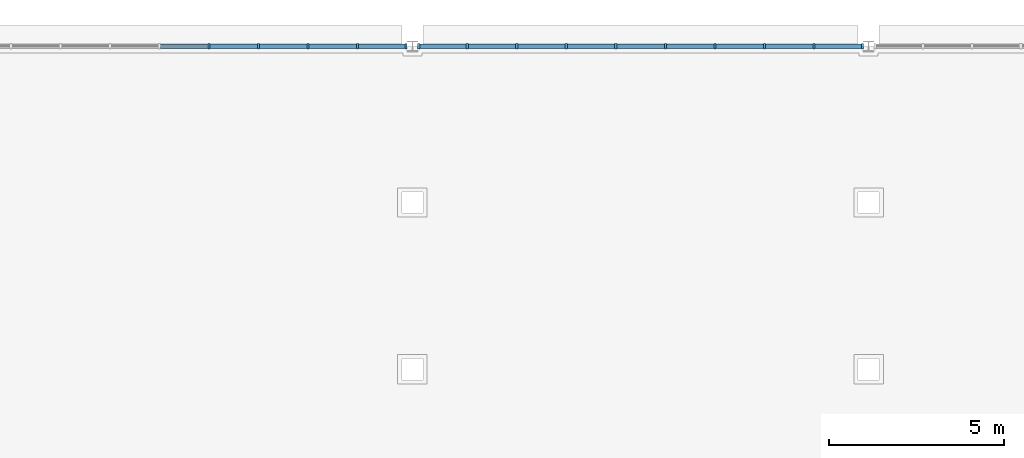
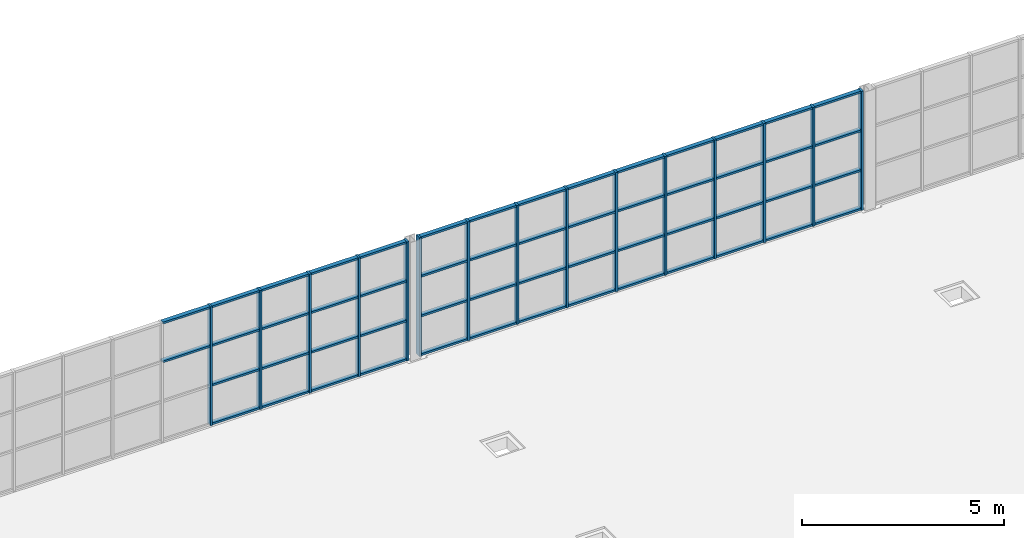
# One storey, part 26 of 82: 69 members, 2 elements without a shape of their own.
"""IFC4 building model written with IfcOpenShell, lengths in metres."""

from ifc_helpers import new_model, si_unit, direction, frame, origin, origin_2d, place, context, subcontext, project, spatial, rectangle, extrude, material, material_profile, profile_set, type_object, element, aggregate, save


model = new_model("IFC4")

# Units and contexts
model_context = context("Model", 3, precision=1e-05, world=origin(), true_north=direction((0.0, 1.0)))
body_context = subcontext(model_context, "Body", "Model", "MODEL_VIEW")
ifc_project = project(units=[si_unit("LENGTHUNIT", "METRE"), si_unit("AREAUNIT", "SQUARE_METRE"), si_unit("VOLUMEUNIT", "CUBIC_METRE"), si_unit("PLANEANGLEUNIT", "RADIAN"), si_unit("MASSUNIT", "GRAM", prefix="KILO")], contexts=[model_context])

# Site, building, storey
site_placement = place(None, origin())
site = spatial("IfcSite", under=ifc_project, at=site_placement, CompositionType="ELEMENT")
building_placement = place(site_placement, origin())
building = spatial("IfcBuilding", under=site, at=building_placement, Name="Elbe Cascade School", CompositionType="ELEMENT")
storey_placement = place(building_placement, frame((0.0, 0.0, 4.5)))
storey = spatial("IfcBuildingStorey", under=building, at=storey_placement, Name="L01", CompositionType="ELEMENT", Elevation=4.5)

# Curtain wall, members
ifc_material_1 = material(Name="Glass - double glazed low-E", Category="glass")
curtain_wall_type = type_object("IfcCurtainWallType", Name="Hall gable curtain wall", PredefinedType="NOTDEFINED", material=ifc_material_1)
curtain_wall_1_placement = place(storey_placement, origin())
curtain_wall_1 = element("IfcCurtainWall", 1, at=curtain_wall_1_placement, inside=storey, type_object=curtain_wall_type, Name="Gable curtain wall N2", PredefinedType="NOTDEFINED")
ifc_material_2 = material(Name="Aluminium - bronze anodised", Category="aluminium")
ifc_material_profile_1 = material_profile(ifc_material_2, rectangle(XDim=0.159912109375, YDim=0.06005859375, at=origin_2d()), Name="Alu 60x160")
ifc_profile_set_1 = profile_set([ifc_material_profile_1], Name="Aluminium - bronze anodised")
member_type_1 = type_object("IfcMemberType", Name="Hall gable mullion 60x160", PredefinedType="MULLION", material=ifc_profile_set_1)
member_1_placement = place(storey_placement, frame((28.20556640625, 69.199951171875, 0.0), z_axis=(0.0, 0.0, 1.0), x_axis=(0.0, 1.0, 0.0)))
member_1 = element("IfcMember", 2, at=member_1_placement, type_object=member_type_1, Name="CW6 mullion 6", PredefinedType="MULLION", context=body_context, shape_type="SweptSolid", body=[
    extrude(rectangle(XDim=0.159912109375, YDim=0.06005859375, at=origin_2d()), origin(), (0.0, 0.0, 1.0), 3.60009765625),
])
member_2_placement = place(storey_placement, frame((29.61669921875, 69.199951171875, 0.0), z_axis=(0.0, 0.0, 1.0), x_axis=(0.0, 1.0, 0.0)))
member_2 = element("IfcMember", 3, at=member_2_placement, type_object=member_type_1, Name="CW6 mullion 7", PredefinedType="MULLION", context=body_context, shape_type="SweptSolid", body=[
    extrude(rectangle(XDim=0.159912109375, YDim=0.06005859375, at=origin_2d()), origin(), (0.0, 0.0, 1.0), 3.60009765625),
])
member_3_placement = place(storey_placement, frame((31.02783203125, 69.199951171875, 0.0), z_axis=(0.0, 0.0, 1.0), x_axis=(0.0, 1.0, 0.0)))
member_3 = element("IfcMember", 4, at=member_3_placement, type_object=member_type_1, Name="CW6 mullion 8", PredefinedType="MULLION", context=body_context, shape_type="SweptSolid", body=[
    extrude(rectangle(XDim=0.159912109375, YDim=0.06005859375, at=origin_2d()), origin(), (0.0, 0.0, 1.0), 3.60009765625),
])
member_4_placement = place(storey_placement, frame((32.43896484375, 69.199951171875, 0.0), z_axis=(0.0, 0.0, 1.0), x_axis=(0.0, 1.0, 0.0)))
member_4 = element("IfcMember", 5, at=member_4_placement, type_object=member_type_1, Name="CW6 mullion 9", PredefinedType="MULLION", context=body_context, shape_type="SweptSolid", body=[
    extrude(rectangle(XDim=0.159912109375, YDim=0.06005859375, at=origin_2d()), origin(), (0.0, 0.0, 1.0), 3.60009765625),
])
member_5_placement = place(storey_placement, frame((33.820068359375, 69.199951171875, 0.0), z_axis=(0.0, 0.0, 1.0), x_axis=(0.0, 1.0, 0.0)))
member_5 = element("IfcMember", 6, at=member_5_placement, type_object=member_type_1, Name="CW6 mullion 10", PredefinedType="MULLION", context=body_context, shape_type="SweptSolid", body=[
    extrude(rectangle(XDim=0.159912109375, YDim=0.06005859375, at=origin_2d()), origin(), (0.0, 0.0, 1.0), 3.60009765625),
])

curtain_wall_2_placement = place(storey_placement, origin())
curtain_wall_2 = element("IfcCurtainWall", 7, at=curtain_wall_2_placement, inside=storey, type_object=curtain_wall_type, Name="Gable curtain wall N3", PredefinedType="NOTDEFINED")
member_6_placement = place(storey_placement, frame((34.179931640625, 69.199951171875, 0.0), z_axis=(0.0, 0.0, 1.0), x_axis=(0.0, 1.0, 0.0)))
member_6 = element("IfcMember", 8, at=member_6_placement, type_object=member_type_1, Name="CW6 mullion 1", PredefinedType="MULLION", context=body_context, shape_type="SweptSolid", body=[
    extrude(rectangle(XDim=0.159912109375, YDim=0.06005859375, at=origin_2d()), origin(), (0.0, 0.0, 1.0), 3.60009765625),
])
member_7_placement = place(storey_placement, frame((35.56103515625, 69.199951171875, 0.0), z_axis=(0.0, 0.0, 1.0), x_axis=(0.0, 1.0, 0.0)))
member_7 = element("IfcMember", 9, at=member_7_placement, type_object=member_type_1, Name="CW6 mullion 2", PredefinedType="MULLION", context=body_context, shape_type="SweptSolid", body=[
    extrude(rectangle(XDim=0.159912109375, YDim=0.06005859375, at=origin_2d()), origin(), (0.0, 0.0, 1.0), 3.60009765625),
])
member_8_placement = place(storey_placement, frame((36.97216796875, 69.199951171875, 0.0), z_axis=(0.0, 0.0, 1.0), x_axis=(0.0, 1.0, 0.0)))
member_8 = element("IfcMember", 10, at=member_8_placement, type_object=member_type_1, Name="CW6 mullion 3", PredefinedType="MULLION", context=body_context, shape_type="SweptSolid", body=[
    extrude(rectangle(XDim=0.159912109375, YDim=0.06005859375, at=origin_2d()), origin(), (0.0, 0.0, 1.0), 3.60009765625),
])
member_9_placement = place(storey_placement, frame((38.38330078125, 69.199951171875, 0.0), z_axis=(0.0, 0.0, 1.0), x_axis=(0.0, 1.0, 0.0)))
member_9 = element("IfcMember", 11, at=member_9_placement, type_object=member_type_1, Name="CW6 mullion 4", PredefinedType="MULLION", context=body_context, shape_type="SweptSolid", body=[
    extrude(rectangle(XDim=0.159912109375, YDim=0.06005859375, at=origin_2d()), origin(), (0.0, 0.0, 1.0), 3.60009765625),
])
member_10_placement = place(storey_placement, frame((39.79443359375, 69.199951171875, 0.0), z_axis=(0.0, 0.0, 1.0), x_axis=(0.0, 1.0, 0.0)))
member_10 = element("IfcMember", 12, at=member_10_placement, type_object=member_type_1, Name="CW6 mullion 5", PredefinedType="MULLION", context=body_context, shape_type="SweptSolid", body=[
    extrude(rectangle(XDim=0.159912109375, YDim=0.06005859375, at=origin_2d()), origin(), (0.0, 0.0, 1.0), 3.60009765625),
])
member_11_placement = place(storey_placement, frame((41.20556640625, 69.199951171875, 0.0), z_axis=(0.0, 0.0, 1.0), x_axis=(0.0, 1.0, 0.0)))
member_11 = element("IfcMember", 13, at=member_11_placement, type_object=member_type_1, Name="CW6 mullion 6", PredefinedType="MULLION", context=body_context, shape_type="SweptSolid", body=[
    extrude(rectangle(XDim=0.159912109375, YDim=0.06005859375, at=origin_2d()), origin(), (0.0, 0.0, 1.0), 3.60009765625),
])
member_12_placement = place(storey_placement, frame((42.61669921875, 69.199951171875, 0.0), z_axis=(0.0, 0.0, 1.0), x_axis=(0.0, 1.0, 0.0)))
member_12 = element("IfcMember", 14, at=member_12_placement, type_object=member_type_1, Name="CW6 mullion 7", PredefinedType="MULLION", context=body_context, shape_type="SweptSolid", body=[
    extrude(rectangle(XDim=0.159912109375, YDim=0.06005859375, at=origin_2d()), origin(), (0.0, 0.0, 1.0), 3.60009765625),
])
member_13_placement = place(storey_placement, frame((44.02783203125, 69.199951171875, 0.0), z_axis=(0.0, 0.0, 1.0), x_axis=(0.0, 1.0, 0.0)))
member_13 = element("IfcMember", 15, at=member_13_placement, type_object=member_type_1, Name="CW6 mullion 8", PredefinedType="MULLION", context=body_context, shape_type="SweptSolid", body=[
    extrude(rectangle(XDim=0.159912109375, YDim=0.06005859375, at=origin_2d()), origin(), (0.0, 0.0, 1.0), 3.60009765625),
])
member_14_placement = place(storey_placement, frame((45.43896484375, 69.199951171875, 0.0), z_axis=(0.0, 0.0, 1.0), x_axis=(0.0, 1.0, 0.0)))
member_14 = element("IfcMember", 16, at=member_14_placement, type_object=member_type_1, Name="CW6 mullion 9", PredefinedType="MULLION", context=body_context, shape_type="SweptSolid", body=[
    extrude(rectangle(XDim=0.159912109375, YDim=0.06005859375, at=origin_2d()), origin(), (0.0, 0.0, 1.0), 3.60009765625),
])
member_15_placement = place(storey_placement, frame((46.820068359375, 69.199951171875, 0.0), z_axis=(0.0, 0.0, 1.0), x_axis=(0.0, 1.0, 0.0)))
member_15 = element("IfcMember", 17, at=member_15_placement, type_object=member_type_1, Name="CW6 mullion 10", PredefinedType="MULLION", context=body_context, shape_type="SweptSolid", body=[
    extrude(rectangle(XDim=0.159912109375, YDim=0.06005859375, at=origin_2d()), origin(), (0.0, 0.0, 1.0), 3.60009765625),
])

# Member
ifc_material_3 = material(Name="Aluminium - bronze anodised", Category="aluminium")
ifc_material_profile_2 = material_profile(ifc_material_3, rectangle(XDim=0.1201171875, YDim=0.06005859375, at=origin_2d()), Name="Alu 60x120")
ifc_profile_set_2 = profile_set([ifc_material_profile_2], Name="Aluminium - bronze anodised")
member_type_2 = type_object("IfcMemberType", Name="Hall gable transom 60x120", PredefinedType="USERDEFINED", material=ifc_profile_set_2)
member_16_placement = place(storey_placement, frame((26.824462890625, 69.199951171875, 2.39990234375), z_axis=(1.0, 0.0, 0.0), x_axis=(0.0, 1.0, 0.0)))
member_16 = element("IfcMember", 18, at=member_16_placement, type_object=member_type_2, Name="CW6 transom 5.3", ObjectType="TRANSOM", PredefinedType="USERDEFINED", context=body_context, shape_type="SweptSolid", body=[
    extrude(rectangle(XDim=0.1201171875, YDim=0.06005859375, at=origin_2d()), origin(), (0.0, 0.0, 1.0), 1.35107421875),
])

member_17_placement = place(storey_placement, frame((26.824462890625, 69.199951171875, 3.570068359375), z_axis=(1.0, 0.0, 0.0), x_axis=(0.0, 1.0, 0.0)))
member_17 = element("IfcMember", 19, at=member_17_placement, type_object=member_type_2, Name="CW6 transom 5.4", ObjectType="TRANSOM", PredefinedType="USERDEFINED", context=body_context, shape_type="SweptSolid", body=[
    extrude(rectangle(XDim=0.1201171875, YDim=0.06005859375, at=origin_2d()), origin(), (0.0, 0.0, 1.0), 1.35107421875),
])

member_18_placement = place(storey_placement, frame((28.235595703125, 69.199951171875, 0.030029296875), z_axis=(1.0, 0.0, 0.0), x_axis=(0.0, 1.0, 0.0)))
member_18 = element("IfcMember", 20, at=member_18_placement, type_object=member_type_2, Name="CW6 transom 6.1", ObjectType="TRANSOM", PredefinedType="USERDEFINED", context=body_context, shape_type="SweptSolid", body=[
    extrude(rectangle(XDim=0.1201171875, YDim=0.06005859375, at=origin_2d()), origin(), (0.0, 0.0, 1.0), 1.35107421875),
])

member_19_placement = place(storey_placement, frame((28.235595703125, 69.199951171875, 1.199951171875), z_axis=(1.0, 0.0, 0.0), x_axis=(0.0, 1.0, 0.0)))
member_19 = element("IfcMember", 21, at=member_19_placement, type_object=member_type_2, Name="CW6 transom 6.2", ObjectType="TRANSOM", PredefinedType="USERDEFINED", context=body_context, shape_type="SweptSolid", body=[
    extrude(rectangle(XDim=0.1201171875, YDim=0.06005859375, at=origin_2d()), origin(), (0.0, 0.0, 1.0), 1.35107421875),
])

member_20_placement = place(storey_placement, frame((28.235595703125, 69.199951171875, 2.39990234375), z_axis=(1.0, 0.0, 0.0), x_axis=(0.0, 1.0, 0.0)))
member_20 = element("IfcMember", 22, at=member_20_placement, type_object=member_type_2, Name="CW6 transom 6.3", ObjectType="TRANSOM", PredefinedType="USERDEFINED", context=body_context, shape_type="SweptSolid", body=[
    extrude(rectangle(XDim=0.1201171875, YDim=0.06005859375, at=origin_2d()), origin(), (0.0, 0.0, 1.0), 1.35107421875),
])

member_21_placement = place(storey_placement, frame((28.235595703125, 69.199951171875, 3.570068359375), z_axis=(1.0, 0.0, 0.0), x_axis=(0.0, 1.0, 0.0)))
member_21 = element("IfcMember", 23, at=member_21_placement, type_object=member_type_2, Name="CW6 transom 6.4", ObjectType="TRANSOM", PredefinedType="USERDEFINED", context=body_context, shape_type="SweptSolid", body=[
    extrude(rectangle(XDim=0.1201171875, YDim=0.06005859375, at=origin_2d()), origin(), (0.0, 0.0, 1.0), 1.35107421875),
])

member_22_placement = place(storey_placement, frame((29.646728515625, 69.199951171875, 0.030029296875), z_axis=(1.0, 0.0, 0.0), x_axis=(0.0, 1.0, 0.0)))
member_22 = element("IfcMember", 24, at=member_22_placement, type_object=member_type_2, Name="CW6 transom 7.1", ObjectType="TRANSOM", PredefinedType="USERDEFINED", context=body_context, shape_type="SweptSolid", body=[
    extrude(rectangle(XDim=0.1201171875, YDim=0.06005859375, at=origin_2d()), origin(), (0.0, 0.0, 1.0), 1.35107421875),
])

member_23_placement = place(storey_placement, frame((29.646728515625, 69.199951171875, 1.199951171875), z_axis=(1.0, 0.0, 0.0), x_axis=(0.0, 1.0, 0.0)))
member_23 = element("IfcMember", 25, at=member_23_placement, type_object=member_type_2, Name="CW6 transom 7.2", ObjectType="TRANSOM", PredefinedType="USERDEFINED", context=body_context, shape_type="SweptSolid", body=[
    extrude(rectangle(XDim=0.1201171875, YDim=0.06005859375, at=origin_2d()), origin(), (0.0, 0.0, 1.0), 1.35107421875),
])

member_24_placement = place(storey_placement, frame((29.646728515625, 69.199951171875, 2.39990234375), z_axis=(1.0, 0.0, 0.0), x_axis=(0.0, 1.0, 0.0)))
member_24 = element("IfcMember", 26, at=member_24_placement, type_object=member_type_2, Name="CW6 transom 7.3", ObjectType="TRANSOM", PredefinedType="USERDEFINED", context=body_context, shape_type="SweptSolid", body=[
    extrude(rectangle(XDim=0.1201171875, YDim=0.06005859375, at=origin_2d()), origin(), (0.0, 0.0, 1.0), 1.35107421875),
])

member_25_placement = place(storey_placement, frame((29.646728515625, 69.199951171875, 3.570068359375), z_axis=(1.0, 0.0, 0.0), x_axis=(0.0, 1.0, 0.0)))
member_25 = element("IfcMember", 27, at=member_25_placement, type_object=member_type_2, Name="CW6 transom 7.4", ObjectType="TRANSOM", PredefinedType="USERDEFINED", context=body_context, shape_type="SweptSolid", body=[
    extrude(rectangle(XDim=0.1201171875, YDim=0.06005859375, at=origin_2d()), origin(), (0.0, 0.0, 1.0), 1.35107421875),
])

member_26_placement = place(storey_placement, frame((31.057861328125, 69.199951171875, 0.030029296875), z_axis=(1.0, 0.0, 0.0), x_axis=(0.0, 1.0, 0.0)))
member_26 = element("IfcMember", 28, at=member_26_placement, type_object=member_type_2, Name="CW6 transom 8.1", ObjectType="TRANSOM", PredefinedType="USERDEFINED", context=body_context, shape_type="SweptSolid", body=[
    extrude(rectangle(XDim=0.1201171875, YDim=0.06005859375, at=origin_2d()), origin(), (0.0, 0.0, 1.0), 1.35107421875),
])

member_27_placement = place(storey_placement, frame((31.057861328125, 69.199951171875, 1.199951171875), z_axis=(1.0, 0.0, 0.0), x_axis=(0.0, 1.0, 0.0)))
member_27 = element("IfcMember", 29, at=member_27_placement, type_object=member_type_2, Name="CW6 transom 8.2", ObjectType="TRANSOM", PredefinedType="USERDEFINED", context=body_context, shape_type="SweptSolid", body=[
    extrude(rectangle(XDim=0.1201171875, YDim=0.06005859375, at=origin_2d()), origin(), (0.0, 0.0, 1.0), 1.35107421875),
])

member_28_placement = place(storey_placement, frame((31.057861328125, 69.199951171875, 2.39990234375), z_axis=(1.0, 0.0, 0.0), x_axis=(0.0, 1.0, 0.0)))
member_28 = element("IfcMember", 30, at=member_28_placement, type_object=member_type_2, Name="CW6 transom 8.3", ObjectType="TRANSOM", PredefinedType="USERDEFINED", context=body_context, shape_type="SweptSolid", body=[
    extrude(rectangle(XDim=0.1201171875, YDim=0.06005859375, at=origin_2d()), origin(), (0.0, 0.0, 1.0), 1.35107421875),
])

member_29_placement = place(storey_placement, frame((31.057861328125, 69.199951171875, 3.570068359375), z_axis=(1.0, 0.0, 0.0), x_axis=(0.0, 1.0, 0.0)))
member_29 = element("IfcMember", 31, at=member_29_placement, type_object=member_type_2, Name="CW6 transom 8.4", ObjectType="TRANSOM", PredefinedType="USERDEFINED", context=body_context, shape_type="SweptSolid", body=[
    extrude(rectangle(XDim=0.1201171875, YDim=0.06005859375, at=origin_2d()), origin(), (0.0, 0.0, 1.0), 1.35107421875),
])

member_30_placement = place(storey_placement, frame((32.468994140625, 69.199951171875, 0.030029296875), z_axis=(1.0, 0.0, 0.0), x_axis=(0.0, 1.0, 0.0)))
member_30 = element("IfcMember", 32, at=member_30_placement, type_object=member_type_2, Name="CW6 transom 9.1", ObjectType="TRANSOM", PredefinedType="USERDEFINED", context=body_context, shape_type="SweptSolid", body=[
    extrude(rectangle(XDim=0.1201171875, YDim=0.06005859375, at=origin_2d()), origin(), (0.0, 0.0, 1.0), 1.321044921875),
])

member_31_placement = place(storey_placement, frame((32.468994140625, 69.199951171875, 1.199951171875), z_axis=(1.0, 0.0, 0.0), x_axis=(0.0, 1.0, 0.0)))
member_31 = element("IfcMember", 33, at=member_31_placement, type_object=member_type_2, Name="CW6 transom 9.2", ObjectType="TRANSOM", PredefinedType="USERDEFINED", context=body_context, shape_type="SweptSolid", body=[
    extrude(rectangle(XDim=0.1201171875, YDim=0.06005859375, at=origin_2d()), origin(), (0.0, 0.0, 1.0), 1.321044921875),
])

member_32_placement = place(storey_placement, frame((32.468994140625, 69.199951171875, 2.39990234375), z_axis=(1.0, 0.0, 0.0), x_axis=(0.0, 1.0, 0.0)))
member_32 = element("IfcMember", 34, at=member_32_placement, type_object=member_type_2, Name="CW6 transom 9.3", ObjectType="TRANSOM", PredefinedType="USERDEFINED", context=body_context, shape_type="SweptSolid", body=[
    extrude(rectangle(XDim=0.1201171875, YDim=0.06005859375, at=origin_2d()), origin(), (0.0, 0.0, 1.0), 1.321044921875),
])

member_33_placement = place(storey_placement, frame((32.468994140625, 69.199951171875, 3.570068359375), z_axis=(1.0, 0.0, 0.0), x_axis=(0.0, 1.0, 0.0)))
member_33 = element("IfcMember", 35, at=member_33_placement, type_object=member_type_2, Name="CW6 transom 9.4", ObjectType="TRANSOM", PredefinedType="USERDEFINED", context=body_context, shape_type="SweptSolid", body=[
    extrude(rectangle(XDim=0.1201171875, YDim=0.06005859375, at=origin_2d()), origin(), (0.0, 0.0, 1.0), 1.321044921875),
])

aggregate(curtain_wall_1, [member_1, member_2, member_3, member_4, member_5, member_16, member_17, member_18, member_19, member_20, member_21, member_22, member_23, member_24, member_25, member_26, member_27, member_28, member_29, member_30, member_31, member_32, member_33])

member_34_placement = place(storey_placement, frame((34.2099609375, 69.199951171875, 0.030029296875), z_axis=(1.0, 0.0, 0.0), x_axis=(0.0, 1.0, 0.0)))
member_34 = element("IfcMember", 36, at=member_34_placement, type_object=member_type_2, Name="CW6 transom 1.1", ObjectType="TRANSOM", PredefinedType="USERDEFINED", context=body_context, shape_type="SweptSolid", body=[
    extrude(rectangle(XDim=0.1201171875, YDim=0.06005859375, at=origin_2d()), origin(), (0.0, 0.0, 1.0), 1.321044921875),
])

member_35_placement = place(storey_placement, frame((34.2099609375, 69.199951171875, 1.199951171875), z_axis=(1.0, 0.0, 0.0), x_axis=(0.0, 1.0, 0.0)))
member_35 = element("IfcMember", 37, at=member_35_placement, type_object=member_type_2, Name="CW6 transom 1.2", ObjectType="TRANSOM", PredefinedType="USERDEFINED", context=body_context, shape_type="SweptSolid", body=[
    extrude(rectangle(XDim=0.1201171875, YDim=0.06005859375, at=origin_2d()), origin(), (0.0, 0.0, 1.0), 1.321044921875),
])

member_36_placement = place(storey_placement, frame((34.2099609375, 69.199951171875, 2.39990234375), z_axis=(1.0, 0.0, 0.0), x_axis=(0.0, 1.0, 0.0)))
member_36 = element("IfcMember", 38, at=member_36_placement, type_object=member_type_2, Name="CW6 transom 1.3", ObjectType="TRANSOM", PredefinedType="USERDEFINED", context=body_context, shape_type="SweptSolid", body=[
    extrude(rectangle(XDim=0.1201171875, YDim=0.06005859375, at=origin_2d()), origin(), (0.0, 0.0, 1.0), 1.321044921875),
])

member_37_placement = place(storey_placement, frame((34.2099609375, 69.199951171875, 3.570068359375), z_axis=(1.0, 0.0, 0.0), x_axis=(0.0, 1.0, 0.0)))
member_37 = element("IfcMember", 39, at=member_37_placement, type_object=member_type_2, Name="CW6 transom 1.4", ObjectType="TRANSOM", PredefinedType="USERDEFINED", context=body_context, shape_type="SweptSolid", body=[
    extrude(rectangle(XDim=0.1201171875, YDim=0.06005859375, at=origin_2d()), origin(), (0.0, 0.0, 1.0), 1.321044921875),
])

member_38_placement = place(storey_placement, frame((35.591064453125, 69.199951171875, 0.030029296875), z_axis=(1.0, 0.0, 0.0), x_axis=(0.0, 1.0, 0.0)))
member_38 = element("IfcMember", 40, at=member_38_placement, type_object=member_type_2, Name="CW6 transom 2.1", ObjectType="TRANSOM", PredefinedType="USERDEFINED", context=body_context, shape_type="SweptSolid", body=[
    extrude(rectangle(XDim=0.1201171875, YDim=0.06005859375, at=origin_2d()), origin(), (0.0, 0.0, 1.0), 1.35107421875),
])

member_39_placement = place(storey_placement, frame((35.591064453125, 69.199951171875, 1.199951171875), z_axis=(1.0, 0.0, 0.0), x_axis=(0.0, 1.0, 0.0)))
member_39 = element("IfcMember", 41, at=member_39_placement, type_object=member_type_2, Name="CW6 transom 2.2", ObjectType="TRANSOM", PredefinedType="USERDEFINED", context=body_context, shape_type="SweptSolid", body=[
    extrude(rectangle(XDim=0.1201171875, YDim=0.06005859375, at=origin_2d()), origin(), (0.0, 0.0, 1.0), 1.35107421875),
])

member_40_placement = place(storey_placement, frame((35.591064453125, 69.199951171875, 2.39990234375), z_axis=(1.0, 0.0, 0.0), x_axis=(0.0, 1.0, 0.0)))
member_40 = element("IfcMember", 42, at=member_40_placement, type_object=member_type_2, Name="CW6 transom 2.3", ObjectType="TRANSOM", PredefinedType="USERDEFINED", context=body_context, shape_type="SweptSolid", body=[
    extrude(rectangle(XDim=0.1201171875, YDim=0.06005859375, at=origin_2d()), origin(), (0.0, 0.0, 1.0), 1.35107421875),
])

member_41_placement = place(storey_placement, frame((35.591064453125, 69.199951171875, 3.570068359375), z_axis=(1.0, 0.0, 0.0), x_axis=(0.0, 1.0, 0.0)))
member_41 = element("IfcMember", 43, at=member_41_placement, type_object=member_type_2, Name="CW6 transom 2.4", ObjectType="TRANSOM", PredefinedType="USERDEFINED", context=body_context, shape_type="SweptSolid", body=[
    extrude(rectangle(XDim=0.1201171875, YDim=0.06005859375, at=origin_2d()), origin(), (0.0, 0.0, 1.0), 1.35107421875),
])

member_42_placement = place(storey_placement, frame((37.002197265625, 69.199951171875, 0.030029296875), z_axis=(1.0, 0.0, 0.0), x_axis=(0.0, 1.0, 0.0)))
member_42 = element("IfcMember", 44, at=member_42_placement, type_object=member_type_2, Name="CW6 transom 3.1", ObjectType="TRANSOM", PredefinedType="USERDEFINED", context=body_context, shape_type="SweptSolid", body=[
    extrude(rectangle(XDim=0.1201171875, YDim=0.06005859375, at=origin_2d()), origin(), (0.0, 0.0, 1.0), 1.35107421875),
])

member_43_placement = place(storey_placement, frame((37.002197265625, 69.199951171875, 1.199951171875), z_axis=(1.0, 0.0, 0.0), x_axis=(0.0, 1.0, 0.0)))
member_43 = element("IfcMember", 45, at=member_43_placement, type_object=member_type_2, Name="CW6 transom 3.2", ObjectType="TRANSOM", PredefinedType="USERDEFINED", context=body_context, shape_type="SweptSolid", body=[
    extrude(rectangle(XDim=0.1201171875, YDim=0.06005859375, at=origin_2d()), origin(), (0.0, 0.0, 1.0), 1.35107421875),
])

member_44_placement = place(storey_placement, frame((37.002197265625, 69.199951171875, 2.39990234375), z_axis=(1.0, 0.0, 0.0), x_axis=(0.0, 1.0, 0.0)))
member_44 = element("IfcMember", 46, at=member_44_placement, type_object=member_type_2, Name="CW6 transom 3.3", ObjectType="TRANSOM", PredefinedType="USERDEFINED", context=body_context, shape_type="SweptSolid", body=[
    extrude(rectangle(XDim=0.1201171875, YDim=0.06005859375, at=origin_2d()), origin(), (0.0, 0.0, 1.0), 1.35107421875),
])

member_45_placement = place(storey_placement, frame((37.002197265625, 69.199951171875, 3.570068359375), z_axis=(1.0, 0.0, 0.0), x_axis=(0.0, 1.0, 0.0)))
member_45 = element("IfcMember", 47, at=member_45_placement, type_object=member_type_2, Name="CW6 transom 3.4", ObjectType="TRANSOM", PredefinedType="USERDEFINED", context=body_context, shape_type="SweptSolid", body=[
    extrude(rectangle(XDim=0.1201171875, YDim=0.06005859375, at=origin_2d()), origin(), (0.0, 0.0, 1.0), 1.35107421875),
])

member_46_placement = place(storey_placement, frame((38.413330078125, 69.199951171875, 0.030029296875), z_axis=(1.0, 0.0, 0.0), x_axis=(0.0, 1.0, 0.0)))
member_46 = element("IfcMember", 48, at=member_46_placement, type_object=member_type_2, Name="CW6 transom 4.1", ObjectType="TRANSOM", PredefinedType="USERDEFINED", context=body_context, shape_type="SweptSolid", body=[
    extrude(rectangle(XDim=0.1201171875, YDim=0.06005859375, at=origin_2d()), origin(), (0.0, 0.0, 1.0), 1.35107421875),
])

member_47_placement = place(storey_placement, frame((38.413330078125, 69.199951171875, 1.199951171875), z_axis=(1.0, 0.0, 0.0), x_axis=(0.0, 1.0, 0.0)))
member_47 = element("IfcMember", 49, at=member_47_placement, type_object=member_type_2, Name="CW6 transom 4.2", ObjectType="TRANSOM", PredefinedType="USERDEFINED", context=body_context, shape_type="SweptSolid", body=[
    extrude(rectangle(XDim=0.1201171875, YDim=0.06005859375, at=origin_2d()), origin(), (0.0, 0.0, 1.0), 1.35107421875),
])

member_48_placement = place(storey_placement, frame((38.413330078125, 69.199951171875, 2.39990234375), z_axis=(1.0, 0.0, 0.0), x_axis=(0.0, 1.0, 0.0)))
member_48 = element("IfcMember", 50, at=member_48_placement, type_object=member_type_2, Name="CW6 transom 4.3", ObjectType="TRANSOM", PredefinedType="USERDEFINED", context=body_context, shape_type="SweptSolid", body=[
    extrude(rectangle(XDim=0.1201171875, YDim=0.06005859375, at=origin_2d()), origin(), (0.0, 0.0, 1.0), 1.35107421875),
])

member_49_placement = place(storey_placement, frame((38.413330078125, 69.199951171875, 3.570068359375), z_axis=(1.0, 0.0, 0.0), x_axis=(0.0, 1.0, 0.0)))
member_49 = element("IfcMember", 51, at=member_49_placement, type_object=member_type_2, Name="CW6 transom 4.4", ObjectType="TRANSOM", PredefinedType="USERDEFINED", context=body_context, shape_type="SweptSolid", body=[
    extrude(rectangle(XDim=0.1201171875, YDim=0.06005859375, at=origin_2d()), origin(), (0.0, 0.0, 1.0), 1.35107421875),
])

member_50_placement = place(storey_placement, frame((39.824462890625, 69.199951171875, 0.030029296875), z_axis=(1.0, 0.0, 0.0), x_axis=(0.0, 1.0, 0.0)))
member_50 = element("IfcMember", 52, at=member_50_placement, type_object=member_type_2, Name="CW6 transom 5.1", ObjectType="TRANSOM", PredefinedType="USERDEFINED", context=body_context, shape_type="SweptSolid", body=[
    extrude(rectangle(XDim=0.1201171875, YDim=0.06005859375, at=origin_2d()), origin(), (0.0, 0.0, 1.0), 1.35107421875),
])

member_51_placement = place(storey_placement, frame((39.824462890625, 69.199951171875, 1.199951171875), z_axis=(1.0, 0.0, 0.0), x_axis=(0.0, 1.0, 0.0)))
member_51 = element("IfcMember", 53, at=member_51_placement, type_object=member_type_2, Name="CW6 transom 5.2", ObjectType="TRANSOM", PredefinedType="USERDEFINED", context=body_context, shape_type="SweptSolid", body=[
    extrude(rectangle(XDim=0.1201171875, YDim=0.06005859375, at=origin_2d()), origin(), (0.0, 0.0, 1.0), 1.35107421875),
])

member_52_placement = place(storey_placement, frame((39.824462890625, 69.199951171875, 2.39990234375), z_axis=(1.0, 0.0, 0.0), x_axis=(0.0, 1.0, 0.0)))
member_52 = element("IfcMember", 54, at=member_52_placement, type_object=member_type_2, Name="CW6 transom 5.3", ObjectType="TRANSOM", PredefinedType="USERDEFINED", context=body_context, shape_type="SweptSolid", body=[
    extrude(rectangle(XDim=0.1201171875, YDim=0.06005859375, at=origin_2d()), origin(), (0.0, 0.0, 1.0), 1.35107421875),
])

member_53_placement = place(storey_placement, frame((39.824462890625, 69.199951171875, 3.570068359375), z_axis=(1.0, 0.0, 0.0), x_axis=(0.0, 1.0, 0.0)))
member_53 = element("IfcMember", 55, at=member_53_placement, type_object=member_type_2, Name="CW6 transom 5.4", ObjectType="TRANSOM", PredefinedType="USERDEFINED", context=body_context, shape_type="SweptSolid", body=[
    extrude(rectangle(XDim=0.1201171875, YDim=0.06005859375, at=origin_2d()), origin(), (0.0, 0.0, 1.0), 1.35107421875),
])

member_54_placement = place(storey_placement, frame((41.235595703125, 69.199951171875, 0.030029296875), z_axis=(1.0, 0.0, 0.0), x_axis=(0.0, 1.0, 0.0)))
member_54 = element("IfcMember", 56, at=member_54_placement, type_object=member_type_2, Name="CW6 transom 6.1", ObjectType="TRANSOM", PredefinedType="USERDEFINED", context=body_context, shape_type="SweptSolid", body=[
    extrude(rectangle(XDim=0.1201171875, YDim=0.06005859375, at=origin_2d()), origin(), (0.0, 0.0, 1.0), 1.35107421875),
])

member_55_placement = place(storey_placement, frame((41.235595703125, 69.199951171875, 1.199951171875), z_axis=(1.0, 0.0, 0.0), x_axis=(0.0, 1.0, 0.0)))
member_55 = element("IfcMember", 57, at=member_55_placement, type_object=member_type_2, Name="CW6 transom 6.2", ObjectType="TRANSOM", PredefinedType="USERDEFINED", context=body_context, shape_type="SweptSolid", body=[
    extrude(rectangle(XDim=0.1201171875, YDim=0.06005859375, at=origin_2d()), origin(), (0.0, 0.0, 1.0), 1.35107421875),
])

member_56_placement = place(storey_placement, frame((41.235595703125, 69.199951171875, 2.39990234375), z_axis=(1.0, 0.0, 0.0), x_axis=(0.0, 1.0, 0.0)))
member_56 = element("IfcMember", 58, at=member_56_placement, type_object=member_type_2, Name="CW6 transom 6.3", ObjectType="TRANSOM", PredefinedType="USERDEFINED", context=body_context, shape_type="SweptSolid", body=[
    extrude(rectangle(XDim=0.1201171875, YDim=0.06005859375, at=origin_2d()), origin(), (0.0, 0.0, 1.0), 1.35107421875),
])

member_57_placement = place(storey_placement, frame((41.235595703125, 69.199951171875, 3.570068359375), z_axis=(1.0, 0.0, 0.0), x_axis=(0.0, 1.0, 0.0)))
member_57 = element("IfcMember", 59, at=member_57_placement, type_object=member_type_2, Name="CW6 transom 6.4", ObjectType="TRANSOM", PredefinedType="USERDEFINED", context=body_context, shape_type="SweptSolid", body=[
    extrude(rectangle(XDim=0.1201171875, YDim=0.06005859375, at=origin_2d()), origin(), (0.0, 0.0, 1.0), 1.35107421875),
])

member_58_placement = place(storey_placement, frame((42.646728515625, 69.199951171875, 0.030029296875), z_axis=(1.0, 0.0, 0.0), x_axis=(0.0, 1.0, 0.0)))
member_58 = element("IfcMember", 60, at=member_58_placement, type_object=member_type_2, Name="CW6 transom 7.1", ObjectType="TRANSOM", PredefinedType="USERDEFINED", context=body_context, shape_type="SweptSolid", body=[
    extrude(rectangle(XDim=0.1201171875, YDim=0.06005859375, at=origin_2d()), origin(), (0.0, 0.0, 1.0), 1.35107421875),
])

member_59_placement = place(storey_placement, frame((42.646728515625, 69.199951171875, 1.199951171875), z_axis=(1.0, 0.0, 0.0), x_axis=(0.0, 1.0, 0.0)))
member_59 = element("IfcMember", 61, at=member_59_placement, type_object=member_type_2, Name="CW6 transom 7.2", ObjectType="TRANSOM", PredefinedType="USERDEFINED", context=body_context, shape_type="SweptSolid", body=[
    extrude(rectangle(XDim=0.1201171875, YDim=0.06005859375, at=origin_2d()), origin(), (0.0, 0.0, 1.0), 1.35107421875),
])

member_60_placement = place(storey_placement, frame((42.646728515625, 69.199951171875, 2.39990234375), z_axis=(1.0, 0.0, 0.0), x_axis=(0.0, 1.0, 0.0)))
member_60 = element("IfcMember", 62, at=member_60_placement, type_object=member_type_2, Name="CW6 transom 7.3", ObjectType="TRANSOM", PredefinedType="USERDEFINED", context=body_context, shape_type="SweptSolid", body=[
    extrude(rectangle(XDim=0.1201171875, YDim=0.06005859375, at=origin_2d()), origin(), (0.0, 0.0, 1.0), 1.35107421875),
])

member_61_placement = place(storey_placement, frame((42.646728515625, 69.199951171875, 3.570068359375), z_axis=(1.0, 0.0, 0.0), x_axis=(0.0, 1.0, 0.0)))
member_61 = element("IfcMember", 63, at=member_61_placement, type_object=member_type_2, Name="CW6 transom 7.4", ObjectType="TRANSOM", PredefinedType="USERDEFINED", context=body_context, shape_type="SweptSolid", body=[
    extrude(rectangle(XDim=0.1201171875, YDim=0.06005859375, at=origin_2d()), origin(), (0.0, 0.0, 1.0), 1.35107421875),
])

member_62_placement = place(storey_placement, frame((44.057861328125, 69.199951171875, 0.030029296875), z_axis=(1.0, 0.0, 0.0), x_axis=(0.0, 1.0, 0.0)))
member_62 = element("IfcMember", 64, at=member_62_placement, type_object=member_type_2, Name="CW6 transom 8.1", ObjectType="TRANSOM", PredefinedType="USERDEFINED", context=body_context, shape_type="SweptSolid", body=[
    extrude(rectangle(XDim=0.1201171875, YDim=0.06005859375, at=origin_2d()), origin(), (0.0, 0.0, 1.0), 1.35107421875),
])

member_63_placement = place(storey_placement, frame((44.057861328125, 69.199951171875, 1.199951171875), z_axis=(1.0, 0.0, 0.0), x_axis=(0.0, 1.0, 0.0)))
member_63 = element("IfcMember", 65, at=member_63_placement, type_object=member_type_2, Name="CW6 transom 8.2", ObjectType="TRANSOM", PredefinedType="USERDEFINED", context=body_context, shape_type="SweptSolid", body=[
    extrude(rectangle(XDim=0.1201171875, YDim=0.06005859375, at=origin_2d()), origin(), (0.0, 0.0, 1.0), 1.35107421875),
])

member_64_placement = place(storey_placement, frame((44.057861328125, 69.199951171875, 2.39990234375), z_axis=(1.0, 0.0, 0.0), x_axis=(0.0, 1.0, 0.0)))
member_64 = element("IfcMember", 66, at=member_64_placement, type_object=member_type_2, Name="CW6 transom 8.3", ObjectType="TRANSOM", PredefinedType="USERDEFINED", context=body_context, shape_type="SweptSolid", body=[
    extrude(rectangle(XDim=0.1201171875, YDim=0.06005859375, at=origin_2d()), origin(), (0.0, 0.0, 1.0), 1.35107421875),
])

member_65_placement = place(storey_placement, frame((44.057861328125, 69.199951171875, 3.570068359375), z_axis=(1.0, 0.0, 0.0), x_axis=(0.0, 1.0, 0.0)))
member_65 = element("IfcMember", 67, at=member_65_placement, type_object=member_type_2, Name="CW6 transom 8.4", ObjectType="TRANSOM", PredefinedType="USERDEFINED", context=body_context, shape_type="SweptSolid", body=[
    extrude(rectangle(XDim=0.1201171875, YDim=0.06005859375, at=origin_2d()), origin(), (0.0, 0.0, 1.0), 1.35107421875),
])

member_66_placement = place(storey_placement, frame((45.468994140625, 69.199951171875, 0.030029296875), z_axis=(1.0, 0.0, 0.0), x_axis=(0.0, 1.0, 0.0)))
member_66 = element("IfcMember", 68, at=member_66_placement, type_object=member_type_2, Name="CW6 transom 9.1", ObjectType="TRANSOM", PredefinedType="USERDEFINED", context=body_context, shape_type="SweptSolid", body=[
    extrude(rectangle(XDim=0.1201171875, YDim=0.06005859375, at=origin_2d()), origin(), (0.0, 0.0, 1.0), 1.321044921875),
])

member_67_placement = place(storey_placement, frame((45.468994140625, 69.199951171875, 1.199951171875), z_axis=(1.0, 0.0, 0.0), x_axis=(0.0, 1.0, 0.0)))
member_67 = element("IfcMember", 69, at=member_67_placement, type_object=member_type_2, Name="CW6 transom 9.2", ObjectType="TRANSOM", PredefinedType="USERDEFINED", context=body_context, shape_type="SweptSolid", body=[
    extrude(rectangle(XDim=0.1201171875, YDim=0.06005859375, at=origin_2d()), origin(), (0.0, 0.0, 1.0), 1.321044921875),
])

member_68_placement = place(storey_placement, frame((45.468994140625, 69.199951171875, 2.39990234375), z_axis=(1.0, 0.0, 0.0), x_axis=(0.0, 1.0, 0.0)))
member_68 = element("IfcMember", 70, at=member_68_placement, type_object=member_type_2, Name="CW6 transom 9.3", ObjectType="TRANSOM", PredefinedType="USERDEFINED", context=body_context, shape_type="SweptSolid", body=[
    extrude(rectangle(XDim=0.1201171875, YDim=0.06005859375, at=origin_2d()), origin(), (0.0, 0.0, 1.0), 1.321044921875),
])

member_69_placement = place(storey_placement, frame((45.468994140625, 69.199951171875, 3.570068359375), z_axis=(1.0, 0.0, 0.0), x_axis=(0.0, 1.0, 0.0)))
member_69 = element("IfcMember", 71, at=member_69_placement, type_object=member_type_2, Name="CW6 transom 9.4", ObjectType="TRANSOM", PredefinedType="USERDEFINED", context=body_context, shape_type="SweptSolid", body=[
    extrude(rectangle(XDim=0.1201171875, YDim=0.06005859375, at=origin_2d()), origin(), (0.0, 0.0, 1.0), 1.321044921875),
])

aggregate(curtain_wall_2, [member_6, member_7, member_8, member_9, member_10, member_11, member_12, member_13, member_14, member_15, member_34, member_35, member_36, member_37, member_38, member_39, member_40, member_41, member_42, member_43, member_44, member_45, member_46, member_47, member_48, member_49, member_50, member_51, member_52, member_53, member_54, member_55, member_56, member_57, member_58, member_59, member_60, member_61, member_62, member_63, member_64, member_65, member_66, member_67, member_68, member_69])

save(model, "model.ifc")
